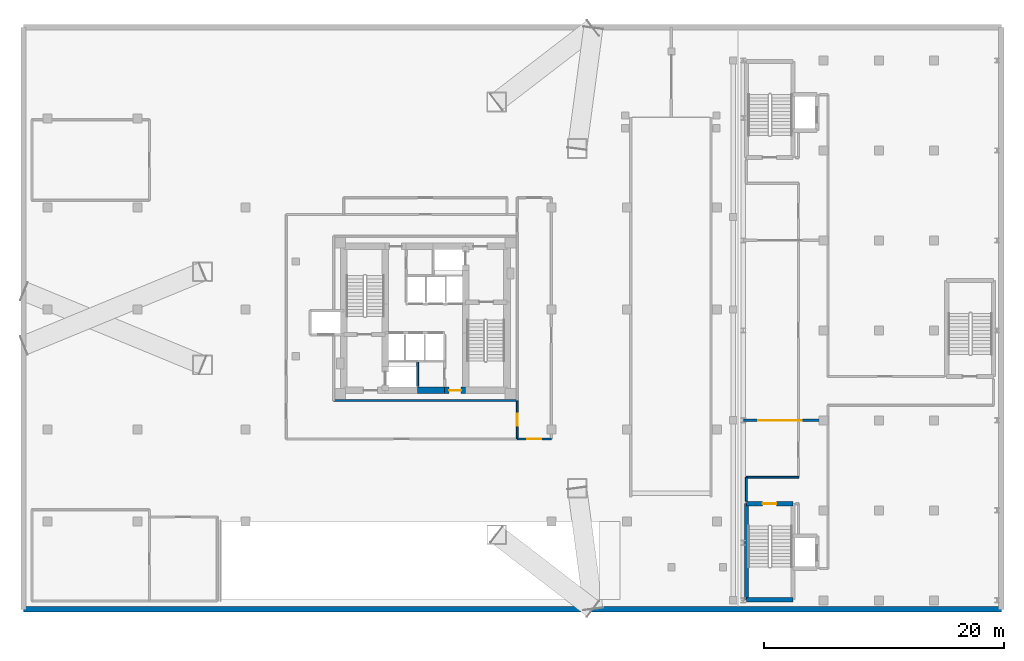
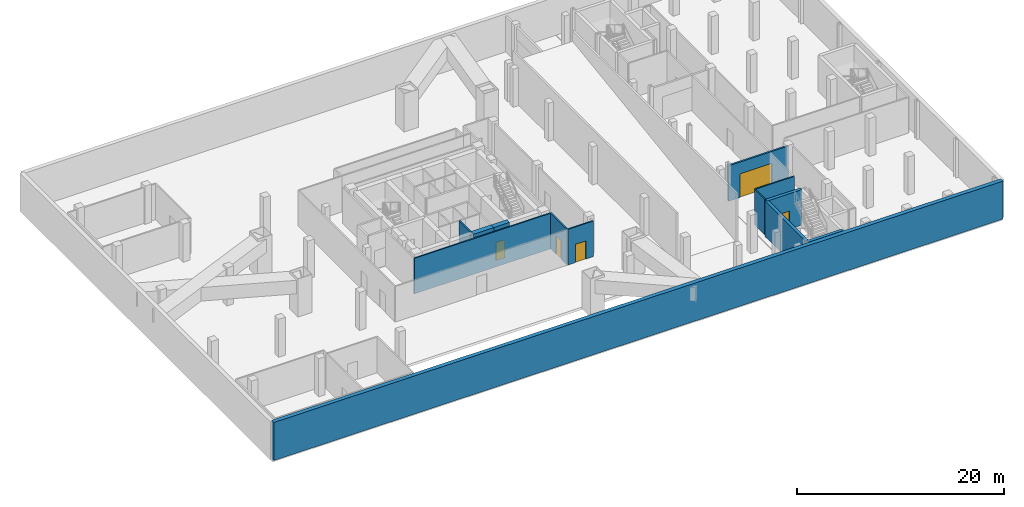
# One storey, part 6 of 14: 13 walls, 5 doors, 5 openings.
"""IFC4 building model written with IfcOpenShell, lengths in metres."""

from ifc_helpers import new_model, si_unit, direction, frame, frame_2d, origin, place, context, subcontext, project, spatial, rectangle, extrude, material, layer, layer_set, type_object, element, fill, save


model = new_model("IFC4")

# Units and contexts
model_context = context("Model", 3, precision=1e-05, world=origin(), true_north=direction((0.0, 1.0)))
body_context = subcontext(model_context, "Body", "Model", "MODEL_VIEW")
ifc_project = project(units=[si_unit("LENGTHUNIT", "METRE"), si_unit("AREAUNIT", "SQUARE_METRE"), si_unit("VOLUMEUNIT", "CUBIC_METRE"), si_unit("PLANEANGLEUNIT", "RADIAN"), si_unit("MASSUNIT", "GRAM", prefix="KILO")], contexts=[model_context])

# Site, building, storey
site_placement = place(None, origin())
site = spatial("IfcSite", under=ifc_project, at=site_placement, CompositionType="ELEMENT")
building_placement = place(site_placement, origin())
building = spatial("IfcBuilding", under=site, at=building_placement, Name="Mersakhor Tower and Convention Hall", CompositionType="ELEMENT")
storey_placement = place(building_placement, frame((0.0, 0.0, -4.5)))
storey = spatial("IfcBuildingStorey", under=building, at=storey_placement, Name="B01", CompositionType="ELEMENT", Elevation=-4.5)

# Walls
ifc_material_1 = material(Name="Fire-rated gypsum board stud partition", Category="other")
ifc_layer_1 = layer(ifc_material_1, 0.14990234375)
ifc_layer_set_1 = layer_set([ifc_layer_1], Name="Fire-rated gypsum board stud partition")
wall_type_1 = type_object("IfcWallType", Name="WL-PRT-150", PredefinedType="PARTITIONING", material=ifc_layer_set_1)
wall_1_placement = place(storey_placement, frame((28.35009765625, 23.199951171875, 0.0), z_axis=(0.0, 0.0, 1.0), x_axis=(0.0, -1.0, 0.0)))
element("IfcWall", 1, at=wall_1_placement, inside=storey, type_object=wall_type_1, Name="B01 Interior Partition Wall P-003", PredefinedType="PARTITIONING", context=body_context, shape_type="SweptSolid", body=[
    extrude(rectangle(XDim=2.125, YDim=0.14990234375, at=frame_2d((1.0625, 0.0))), origin(), (0.0, 0.0, 1.0), 4.199951171875),
])
wall_2_placement = place(storey_placement, frame((21.35009765625, 19.89990234375, 0.0), z_axis=(0.0, 0.0, 1.0), x_axis=(1.0, 0.0, 0.0)))
element("IfcWall", 2, at=wall_2_placement, inside=storey, type_object=wall_type_1, Name="B01 Interior Partition Wall P-027", PredefinedType="PARTITIONING", context=body_context, shape_type="SweptSolid", body=[
    extrude(rectangle(XDim=15.2998046875, YDim=0.14990234375, at=frame_2d((7.64990234375, 0.0))), origin(), (0.0, 0.0, 1.0), 4.199951171875),
])

# Wall, opening, door
wall_3_placement = place(storey_placement, frame((36.64990234375, 19.89990234375, 0.0), z_axis=(0.0, 0.0, 1.0), x_axis=(0.0, -1.0, 0.0)))
wall_3 = element("IfcWall", 3, at=wall_3_placement, inside=storey, type_object=wall_type_1, Name="B01 Interior Partition Wall P-028", PredefinedType="PARTITIONING", context=body_context, shape_type="SweptSolid", body=[
    extrude(rectangle(XDim=3.199951171875, YDim=0.14990234375, at=frame_2d((1.60009765625, 0.0))), origin(), (0.0, 0.0, 1.0), 4.199951171875),
])
opening_1_placement = place(wall_3_placement, frame((1.10009765625, 0.0, 0.0)))
opening_1 = element("IfcOpeningElement", 4, at=opening_1_placement, cuts=wall_3, Name="Opening FD-01", PredefinedType="OPENING", context=body_context, shape_type="SweptSolid", body=[
    extrude(rectangle(XDim=1.0, YDim=2.14990234375, at=frame_2d((0.5, 1.074951171875))), frame((0.0, 0.0849609375, 0.0), z_axis=(0.0, -1.0, 0.0), x_axis=(1.0, 0.0, 0.0)), (0.0, 0.0, 1.0), 0.169921875),
])
ifc_material_2 = material(Name="Fire-rated hardwood leaf and painted steel frame", Category="steel")
door_type_1 = type_object("IfcDoorType", Name="DR-INT-FLT-100x215", OperationType="NOTDEFINED", PredefinedType="DOOR", material=ifc_material_2)
door_1_placement = place(opening_1_placement, origin())
door_1 = element("IfcDoor", 5, at=door_1_placement, inside=storey, type_object=door_type_1, Name="B01 Ring Corridor Fire Door", OperationType="SINGLE_SWING_RIGHT", OverallHeight=2.14990234375, OverallWidth=1.0, PredefinedType="DOOR", context=body_context, shape_type="SweptSolid", body=[
    extrude(rectangle(XDim=1.0, YDim=2.14990234375, at=frame_2d((0.5, 1.074951171875))), frame((0.0, 0.02490234375, 0.0), z_axis=(0.0, -1.0, 0.0), x_axis=(1.0, 0.0, 0.0)), (0.0, 0.0, 1.0), 0.050048828125),
])
fill(opening_1, door_1)

wall_4_placement = place(storey_placement, frame((39.5, 16.699951171875, 0.0), z_axis=(0.0, 0.0, 1.0), x_axis=(-1.0, 0.0, 0.0)))
wall_4 = element("IfcWall", 6, at=wall_4_placement, inside=storey, type_object=wall_type_1, Name="B01 Interior Partition Wall P-031", PredefinedType="PARTITIONING", context=body_context, shape_type="SweptSolid", body=[
    extrude(rectangle(XDim=2.85009765625, YDim=0.14990234375, at=frame_2d((1.425048828125, 0.0))), origin(), (0.0, 0.0, 1.0), 4.199951171875),
])
opening_2_placement = place(wall_4_placement, frame((0.85009765625, 0.0, 0.0)))
opening_2 = element("IfcOpeningElement", 7, at=opening_2_placement, cuts=wall_4, Name="Opening SD-01", PredefinedType="OPENING", context=body_context, shape_type="SweptSolid", body=[
    extrude(rectangle(XDim=1.14990234375, YDim=2.14990234375, at=frame_2d((0.574951171875, 1.074951171875))), frame((0.0, 0.0849609375, 0.0), z_axis=(0.0, -1.0, 0.0), x_axis=(1.0, 0.0, 0.0)), (0.0, 0.0, 1.0), 0.169921875),
])
ifc_material_3 = material(Name="Fire-rated hardwood leaf and painted steel frame", Category="steel")
door_type_2 = type_object("IfcDoorType", Name="DR-INT-STAIR-115x215", OperationType="NOTDEFINED", PredefinedType="DOOR", material=ifc_material_3)
door_2_placement = place(opening_2_placement, origin())
door_2 = element("IfcDoor", 8, at=door_2_placement, inside=storey, type_object=door_type_2, Name="B01 Basement Core Access Corridor East to Two-Way Basement Drive Aisle AISLE-S Door", OperationType="SINGLE_SWING_RIGHT", OverallHeight=2.14990234375, OverallWidth=1.14990234375, PredefinedType="DOOR", context=body_context, shape_type="SweptSolid", body=[
    extrude(rectangle(XDim=1.14990234375, YDim=2.14990234375, at=frame_2d((0.574951171875, 1.074951171875))), frame((0.0, 0.02490234375, 0.0), z_axis=(0.0, -1.0, 0.0), x_axis=(1.0, 0.0, 0.0)), (0.0, 0.0, 1.0), 0.050048828125),
])
fill(opening_2, door_2)

# Walls
wall_5_placement = place(storey_placement, frame((55.75, 11.52490234375, 0.0), z_axis=(0.0, 0.0, 1.0), x_axis=(0.0, 1.0, 0.0)))
element("IfcWall", 9, at=wall_5_placement, inside=storey, type_object=wall_type_1, Name="B01 Interior Partition Wall P-048", PredefinedType="PARTITIONING", context=body_context, shape_type="SweptSolid", body=[
    extrude(rectangle(XDim=1.97509765625, YDim=0.14990234375, at=frame_2d((0.987548828125, 0.0))), origin(), (0.0, 0.0, 1.0), 4.199951171875),
])
wall_6_placement = place(storey_placement, frame((55.75, 13.5, 0.0), z_axis=(0.0, 0.0, 1.0), x_axis=(1.0, 0.0, 0.0)))
element("IfcWall", 10, at=wall_6_placement, inside=storey, type_object=wall_type_1, Name="B01 Interior Partition Wall P-049", PredefinedType="PARTITIONING", context=body_context, shape_type="SweptSolid", body=[
    extrude(rectangle(XDim=4.35009765625, YDim=0.14990234375, at=frame_2d((2.175048828125, 0.0))), origin(), (0.0, 0.0, 1.0), 4.199951171875),
])

# Wall, opening, door
ifc_material_4 = material(Name="Acoustic concrete blockwork and gypsum board", Category="masonry")
ifc_layer_2 = layer(ifc_material_4, 0.199951171875)
ifc_layer_set_2 = layer_set([ifc_layer_2], Name="Acoustic concrete blockwork and gypsum board")
wall_type_2 = type_object("IfcWallType", Name="WL-PRT-200", PredefinedType="PARTITIONING", material=ifc_layer_set_2)
wall_7_placement = place(storey_placement, frame((55.5, 18.25, 0.0), z_axis=(0.0, 0.0, 1.0), x_axis=(1.0, 0.0, 0.0)))
wall_7 = element("IfcWall", 11, at=wall_7_placement, inside=storey, type_object=wall_type_2, Name="B01 Basement Fire Compartment Wall FG-2", PredefinedType="PARTITIONING", context=body_context, shape_type="SweptSolid", body=[
    extrude(rectangle(XDim=6.699951171875, YDim=0.199951171875, at=frame_2d((3.35009765625, 0.0))), origin(), (0.0, 0.0, 1.0), 4.199951171875),
])
opening_3_placement = place(wall_7_placement, frame((1.25, 0.0, 0.0)))
opening_3 = element("IfcOpeningElement", 12, at=opening_3_placement, cuts=wall_7, Name="Opening GATE-03", PredefinedType="OPENING", context=body_context, shape_type="SweptSolid", body=[
    extrude(rectangle(XDim=3.60009765625, YDim=2.800048828125, at=frame_2d((1.800048828125, 1.39990234375))), frame((0.0, 0.10986328125, 0.0), z_axis=(0.0, -1.0, 0.0), x_axis=(1.0, 0.0, 0.0)), (0.0, 0.0, 1.0), 0.219970703125),
])
ifc_material_5 = material(Name="Thermally broken dark aluminium and safety glass", Category="aluminium")
door_type_3 = type_object("IfcDoorType", Name="DR-GATE-BSM-360x280", OperationType="NOTDEFINED", PredefinedType="GATE", material=ifc_material_5)
door_3_placement = place(opening_3_placement, origin())
door_3 = element("IfcDoor", 13, at=door_3_placement, inside=storey, type_object=door_type_3, Name="B01 Basement Compartment Fire Shutter Gate BG-2", OperationType="ROLLINGUP", OverallHeight=2.800048828125, OverallWidth=3.60009765625, PredefinedType="GATE", context=body_context, shape_type="SweptSolid", body=[
    extrude(rectangle(XDim=3.60009765625, YDim=2.800048828125, at=frame_2d((1.800048828125, 1.39990234375))), frame((0.0, 0.02490234375, 0.0), z_axis=(0.0, -1.0, 0.0), x_axis=(1.0, 0.0, 0.0)), (0.0, 0.0, 1.0), 0.050048828125),
])
fill(opening_3, door_3)

# Walls
ifc_material_6 = material(Name="Concrete C45/55", Category="concrete")
ifc_layer_3 = layer(ifc_material_6, 0.449951171875)
ifc_layer_set_3 = layer_set([ifc_layer_3], Name="Concrete C45/55")
wall_type_3 = type_object("IfcWallType", Name="WL-RET-450", PredefinedType="USERDEFINED", material=ifc_layer_set_3)
wall_8_placement = place(storey_placement, frame((-4.5, 2.5, 0.0), z_axis=(0.0, 0.0, 1.0), x_axis=(1.0, 0.0, 0.0)))
element("IfcWall", 14, at=wall_8_placement, inside=storey, type_object=wall_type_3, Name="B01 Perimeter Retaining Wall S", ObjectType="RETAININGWALL", PredefinedType="USERDEFINED", context=body_context, shape_type="SweptSolid", body=[
    extrude(rectangle(XDim=81.5, YDim=0.449951171875, at=frame_2d((40.75, 0.0))), origin(), (0.0, 0.0, 1.0), 4.5),
])
ifc_material_7 = material(Name="Concrete C50/60", Category="concrete")
ifc_layer_4 = layer(ifc_material_7, 0.35009765625)
ifc_layer_set_4 = layer_set([ifc_layer_4], Name="Concrete C50/60")
wall_type_4 = type_object("IfcWallType", Name="WL-SHR-350", PredefinedType="SHEAR", material=ifc_layer_set_4)
wall_9_placement = place(storey_placement, frame((55.75, 3.300048828125, 0.0), z_axis=(0.0, 0.0, 1.0), x_axis=(0.0, 1.0, 0.0)))
element("IfcWall", 15, at=wall_9_placement, inside=storey, type_object=wall_type_4, Name="B01 CHST1 West Shear Wall", PredefinedType="SHEAR", context=body_context, shape_type="SweptSolid", body=[
    extrude(rectangle(XDim=8.0, YDim=0.35009765625, at=frame_2d((4.0, 0.0))), origin(), (0.0, 0.0, 1.0), 4.199951171875),
])

# Wall, opening, door
wall_10_placement = place(storey_placement, frame((55.75, 11.300048828125, 0.0), z_axis=(0.0, 0.0, 1.0), x_axis=(1.0, 0.0, 0.0)))
wall_10 = element("IfcWall", 16, at=wall_10_placement, inside=storey, type_object=wall_type_4, Name="B01 CHST1 North Shear Wall", PredefinedType="SHEAR", context=body_context, shape_type="SweptSolid", body=[
    extrude(rectangle(XDim=3.89990234375, YDim=0.35009765625, at=frame_2d((1.949951171875, 0.0))), origin(), (0.0, 0.0, 1.0), 4.199951171875),
])
opening_4_placement = place(wall_10_placement, frame((1.35009765625, 0.0, 0.0)))
opening_4 = element("IfcOpeningElement", 17, at=opening_4_placement, cuts=wall_10, Name="Opening SD-01", PredefinedType="OPENING", context=body_context, shape_type="SweptSolid", body=[
    extrude(rectangle(XDim=1.14990234375, YDim=2.14990234375, at=frame_2d((0.574951171875, 1.074951171875))), frame((0.0, 0.18505859375, 0.0), z_axis=(0.0, -1.0, 0.0), x_axis=(1.0, 0.0, 0.0)), (0.0, 0.0, 1.0), 0.3701171875),
])
door_4_placement = place(opening_4_placement, origin())
door_4 = element("IfcDoor", 18, at=door_4_placement, inside=storey, type_object=door_type_2, Name="B01 Convention Stair CH-ST1 Door", OperationType="SINGLE_SWING_LEFT", OverallHeight=2.14990234375, OverallWidth=1.14990234375, PredefinedType="DOOR", context=body_context, shape_type="SweptSolid", body=[
    extrude(rectangle(XDim=1.14990234375, YDim=2.14990234375, at=frame_2d((0.574951171875, 1.074951171875))), frame((0.0, 0.02490234375, 0.0), z_axis=(0.0, -1.0, 0.0), x_axis=(1.0, 0.0, 0.0)), (0.0, 0.0, 1.0), 0.050048828125),
])
fill(opening_4, door_4)

# Wall
wall_11_placement = place(storey_placement, frame((55.75, 3.300048828125, 0.0), z_axis=(0.0, 0.0, 1.0), x_axis=(1.0, 0.0, 0.0)))
element("IfcWall", 19, at=wall_11_placement, inside=storey, type_object=wall_type_4, Name="B01 CHST1 South Shear Wall", PredefinedType="SHEAR", context=body_context, shape_type="SweptSolid", body=[
    extrude(rectangle(XDim=3.89990234375, YDim=0.35009765625, at=frame_2d((1.949951171875, 0.0))), origin(), (0.0, 0.0, 1.0), 4.199951171875),
])

# Wall, opening, door
ifc_material_8 = material(Name="Concrete C70/85", Category="concrete")
ifc_layer_5 = layer(ifc_material_8, 0.550048828125)
ifc_layer_set_5 = layer_set([ifc_layer_5], Name="Concrete C70/85")
wall_type_5 = type_object("IfcWallType", Name="WL-SHR-550", PredefinedType="SHEAR", material=ifc_layer_set_5)
wall_12_placement = place(storey_placement, frame((32.35009765625, 20.75, 0.0), z_axis=(0.0, 0.0, 1.0), x_axis=(-1.0, 0.0, 0.0)))
wall_12 = element("IfcWall", 20, at=wall_12_placement, inside=storey, type_object=wall_type_5, Name="B01 Core Wall CW-S2A", PredefinedType="SHEAR", context=body_context, shape_type="SweptSolid", body=[
    extrude(rectangle(XDim=1.75, YDim=0.550048828125, at=frame_2d((0.875, 0.0))), origin(), (0.0, 0.0, 1.0), 4.199951171875),
])
opening_5_placement = place(wall_12_placement, frame((0.375, 0.0, 0.0)))
opening_5 = element("IfcOpeningElement", 21, at=opening_5_placement, cuts=wall_12, Name="Opening CFD-01", PredefinedType="OPENING", context=body_context, shape_type="SweptSolid", body=[
    extrude(rectangle(XDim=1.0, YDim=2.14990234375, at=frame_2d((0.5, 1.074951171875))), frame((0.0, 0.284912109375, 0.0), z_axis=(0.0, -1.0, 0.0), x_axis=(1.0, 0.0, 0.0)), (0.0, 0.0, 1.0), 0.570068359375),
])
ifc_material_9 = material(Name="Fire-rated hardwood leaf and painted steel frame", Category="steel")
door_type_4 = type_object("IfcDoorType", Name="DR-CORE-FD-100x215", OperationType="NOTDEFINED", PredefinedType="DOOR", material=ifc_material_9)
door_5_placement = place(opening_5_placement, origin())
door_5 = element("IfcDoor", 22, at=door_5_placement, inside=storey, type_object=door_type_4, Name="B01 Lift Lobby South Corridor Door", OperationType="SINGLE_SWING_RIGHT", OverallHeight=2.14990234375, OverallWidth=1.0, PredefinedType="DOOR", context=body_context, shape_type="SweptSolid", body=[
    extrude(rectangle(XDim=1.0, YDim=2.14990234375, at=frame_2d((0.5, 1.074951171875))), frame((0.0, 0.02490234375, 0.0), z_axis=(0.0, -1.0, 0.0), x_axis=(1.0, 0.0, 0.0)), (0.0, 0.0, 1.0), 0.050048828125),
])
fill(opening_5, door_5)

# Wall
wall_13_placement = place(storey_placement, frame((30.60009765625, 20.75, 0.0), z_axis=(0.0, 0.0, 1.0), x_axis=(-1.0, 0.0, 0.0)))
element("IfcWall", 23, at=wall_13_placement, inside=storey, type_object=wall_type_5, Name="B01 Core Wall CW-S2B", PredefinedType="SHEAR", context=body_context, shape_type="SweptSolid", body=[
    extrude(rectangle(XDim=2.25, YDim=0.550048828125, at=frame_2d((1.125, 0.0))), origin(), (0.0, 0.0, 1.0), 4.199951171875),
])

save(model, "model.ifc")
